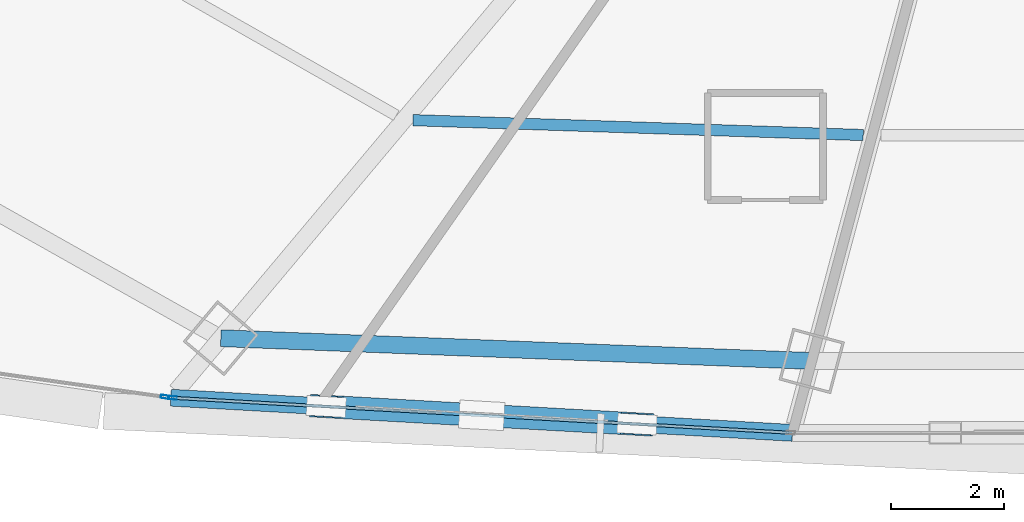
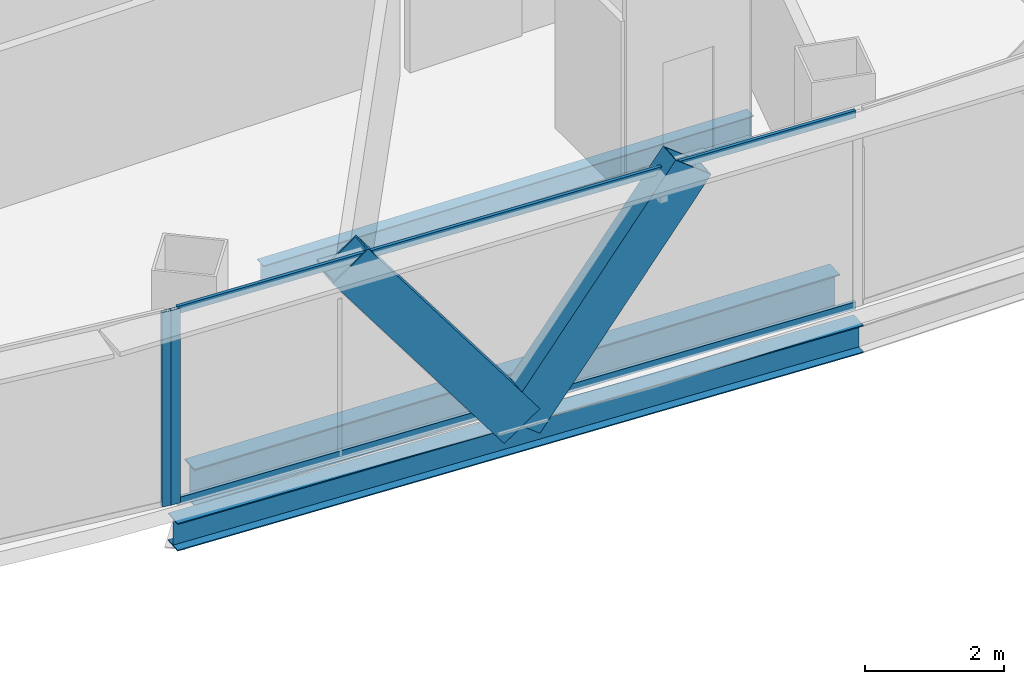
# One storey, part 6 of 42: 6 members, 3 beams, 2 elements without a shape of their own.
"""IFC4 building model written with IfcOpenShell, lengths in metres."""

from ifc_helpers import new_model, si_unit, direction, frame, origin, origin_2d, place, context, subcontext, project, spatial, hollow_rectangle, i_section, extrude, source, transform, mapped, material, layer, layer_set, material_profile, profile_set, type_object, element, aggregate, save


model = new_model("IFC4")

# Units and contexts
model_context = context("Model", 3, precision=1e-05, world=origin(), true_north=direction((0.0, 1.0)))
body_context = subcontext(model_context, "Body", "Model", "MODEL_VIEW")
ifc_project = project(units=[si_unit("LENGTHUNIT", "METRE"), si_unit("AREAUNIT", "SQUARE_METRE"), si_unit("VOLUMEUNIT", "CUBIC_METRE"), si_unit("PLANEANGLEUNIT", "RADIAN"), si_unit("MASSUNIT", "GRAM", prefix="KILO"), si_unit("THERMODYNAMICTEMPERATUREUNIT", "KELVIN"), si_unit("POWERUNIT", "WATT")], contexts=[model_context])

# Site, building, storey
site_placement = place(None, origin())
site = spatial("IfcSite", under=ifc_project, at=site_placement, CompositionType="ELEMENT")
building_placement = place(site_placement, origin())
building = spatial("IfcBuilding", under=site, at=building_placement, Name="Yunzhuo Pagoda Commons", CompositionType="ELEMENT")
storey_placement = place(building_placement, frame((0.0, 0.0, 151.909912109375)))
storey = spatial("IfcBuildingStorey", under=building, at=storey_placement, Name="L38", CompositionType="ELEMENT", Elevation=151.909912109375)

# Beams
ifc_material_1 = material(Name="Structural steel Q355B", Category="steel")
ifc_material_profile_1 = material_profile(ifc_material_1, i_section(OverallWidth=0.300048828125, OverallDepth=0.64990234375, WebThickness=0.012939453125, FlangeThickness=0.02197265625, at=origin_2d()), Name="Structural steel Q355B")
ifc_profile_set_1 = profile_set([ifc_material_profile_1], Name="Structural steel Q355B")
beam_type_1 = type_object("IfcBeamType", Name="B-RG2 Beam HN 650x300x13x22", PredefinedType="BEAM", material=ifc_profile_set_1)
shared_shape_1 = source(origin(), body_context, "Body", "SweptSolid", [
    extrude(i_section(OverallWidth=0.300048828125, OverallDepth=0.64990234375, WebThickness=0.012939453125, FlangeThickness=0.02197265625, at=origin_2d()), origin(), (0.0, 0.0, 1.0), 10.5078125),
])
beam_1_placement = place(storey_placement, frame((32.414794921875, 15.126220703125, -0.5849609375), z_axis=(0.999258632812, -0.03849915259, 0.0), x_axis=(0.03849915259, 0.999258632812, 0.0)))
element("IfcBeam", 1, at=beam_1_placement, inside=storey, type_object=beam_type_1, Name="L38 column-ring beam 1", PredefinedType="BEAM", context=body_context, shape_type="MappedRepresentation", body=[
    mapped(shared_shape_1, transform((0.0, 0.0, 0.0), scale=1.0)),
])
ifc_material_profile_2 = material_profile(ifc_material_1, i_section(OverallWidth=0.199951171875, OverallDepth=0.39990234375, WebThickness=0.008056640625, FlangeThickness=0.012939453125, at=origin_2d()), Name="Structural steel Q355B")
ifc_profile_set_2 = profile_set([ifc_material_profile_2], Name="Structural steel Q355B")
beam_type_2 = type_object("IfcBeamType", Name="B-JS1 Joist HN 400x200x8x13", PredefinedType="JOIST", material=ifc_profile_set_2)
shared_shape_2 = source(origin(), body_context, "Body", "SweptSolid", [
    extrude(i_section(OverallWidth=0.199951171875, OverallDepth=0.39990234375, WebThickness=0.008056640625, FlangeThickness=0.012939453125, at=origin_2d()), origin(), (0.0, 0.0, 1.0), 8.00537109375),
])
beam_2_placement = place(storey_placement, frame((35.8291015625, 19.00048828125, -0.4599609375), z_axis=(0.999453403952, -0.033058937199, 0.0), x_axis=(0.033058937199, 0.999453403952, 0.0)))
element("IfcBeam", 2, at=beam_2_placement, inside=storey, type_object=beam_type_2, Name="L38 composite ring joist 2.1", PredefinedType="JOIST", context=body_context, shape_type="MappedRepresentation", body=[
    mapped(shared_shape_2, transform((0.0, 0.0, 0.0), scale=1.0)),
])
ifc_material_profile_3 = material_profile(ifc_material_1, i_section(OverallWidth=0.300048828125, OverallDepth=0.488037109375, WebThickness=0.010986328125, FlangeThickness=0.01806640625, at=origin_2d()), Name="Structural steel Q355B")
ifc_profile_set_3 = profile_set([ifc_material_profile_3], Name="Structural steel Q355B")
beam_type_3 = type_object("IfcBeamType", Name="B-SP1 Beam HM 488x300x11x18", PredefinedType="BEAM", material=ifc_profile_set_3)
shared_shape_3 = source(origin(), body_context, "Body", "SweptSolid", [
    extrude(i_section(OverallWidth=0.300048828125, OverallDepth=0.488037109375, WebThickness=0.010986328125, FlangeThickness=0.01806640625, at=origin_2d()), origin(), (0.0, 0.0, 1.0), 11.06298828125),
])
beam_3_placement = place(storey_placement, frame((31.527099609375, 14.06884765625, -0.50390625), z_axis=(0.998402926244, -0.056494219778, 0.0), x_axis=(0.056494219778, 0.998402926244, 0.0)))
element("IfcBeam", 3, at=beam_3_placement, inside=storey, type_object=beam_type_3, Name="L38 facade edge spandrel beam F1.1", PredefinedType="BEAM", context=body_context, shape_type="MappedRepresentation", body=[
    mapped(shared_shape_3, transform((0.0, 0.0, 0.0), scale=1.0)),
])

# Members
ifc_material_profile_4 = material_profile(ifc_material_1, hollow_rectangle(XDim=0.39990234375, YDim=0.719970703125, WallThickness=0.02392578125, at=origin_2d()), Name="Structural steel Q355B")
ifc_profile_set_4 = profile_set([ifc_material_profile_4], Name="Structural steel Q355B")
member_type_1 = type_object("IfcMemberType", Name="M-DL2 Brace BOX 720x400x24", PredefinedType="BRACE", material=ifc_profile_set_4)
shared_shape_4 = source(origin(), body_context, "Body", "SweptSolid", [
    extrude(hollow_rectangle(XDim=0.39990234375, YDim=0.719970703125, WallThickness=0.02392578125, at=origin_2d()), origin(), (0.0, 0.0, 1.0), 4.603515625),
])
for number, where, z_axis, x_axis, name in (
    (4, (37.0498046875, 13.75634765625, -0.260009765625), (-0.599807021214, 0.033941334534, 0.799424494941), (-0.05649670934, -0.99840278537, 0.0), "L38 facade diamond brace F1.1L"),
    (5, (37.0498046875, 13.75634765625, -0.260009765625), (0.599807021214, -0.033941334534, 0.799424494941), (0.05649670934, 0.99840278537, 0.0), "L38 facade diamond brace F1.1R"),
):
    element("IfcMember", number, at=place(storey_placement, frame(where, z_axis=z_axis, x_axis=x_axis)), inside=storey, type_object=member_type_1, Name=name, PredefinedType="BRACE", context=body_context, shape_type="MappedRepresentation", body=[
        mapped(shared_shape_4, transform((0.0, 0.0, 0.0), scale=1.0)),
    ])

# Curtain wall, member
ifc_material_2 = material(Name="Anodized aluminium 6063-T6", Category="aluminium")
ifc_layer = layer(ifc_material_2, 0.14990234375)
ifc_layer_set = layer_set([ifc_layer], Name="Anodized aluminium 6063-T6")
curtain_wall_type = type_object("IfcCurtainWallType", Name="CW-MID Mid-Zone Ribbon Curtain Wall", PredefinedType="NOTDEFINED", material=ifc_layer_set)
curtain_wall_1_placement = place(storey_placement, origin())
curtain_wall_1 = element("IfcCurtainWall", 6, at=curtain_wall_1_placement, inside=storey, type_object=curtain_wall_type, Name="L38 curtain wall CW-L38-F1B2", PredefinedType="NOTDEFINED")
ifc_material_profile_5 = material_profile(ifc_material_2, hollow_rectangle(XDim=0.06005859375, YDim=0.14990234375, WallThickness=0.00390625, at=origin_2d()), Name="Anodized aluminium 6063-T6")
ifc_profile_set_5 = profile_set([ifc_material_profile_5], Name="Anodized aluminium 6063-T6")
member_type_2 = type_object("IfcMemberType", Name="CW-MID-M Mullion RHS 150x60x4", PredefinedType="MULLION", material=ifc_profile_set_5)
shared_shape_5 = source(origin(), body_context, "Body", "SweptSolid", [
    extrude(hollow_rectangle(XDim=0.06005859375, YDim=0.14990234375, WallThickness=0.00390625, at=origin_2d()), origin(), (0.0, 0.0, 1.0), 3.420166015625),
])
member_1_placement = place(storey_placement, frame((31.55712890625, 14.067138671875, 0.0), z_axis=(0.0, 0.0, 1.0), x_axis=(0.056459249567, 0.998404904404, 0.0)))
member_1 = element("IfcMember", 7, at=member_1_placement, type_object=member_type_2, Name="CW mullion 1", PredefinedType="MULLION", context=body_context, shape_type="MappedRepresentation", body=[
    mapped(shared_shape_5, transform((0.0, 0.0, 0.0), scale=1.0)),
])

curtain_wall_2_placement = place(storey_placement, origin())
curtain_wall_2 = element("IfcCurtainWall", 8, at=curtain_wall_2_placement, inside=storey, type_object=curtain_wall_type, Name="L38 curtain wall CW-L38-F1B1", PredefinedType="NOTDEFINED")
member_2_placement = place(storey_placement, frame((31.423095703125, 14.083251953125, 0.0), z_axis=(0.0, 0.0, 1.0), x_axis=(0.13962976996, 0.990203780714, 0.0)))
member_2 = element("IfcMember", 9, at=member_2_placement, type_object=member_type_2, Name="CW mullion 2", PredefinedType="MULLION", context=body_context, shape_type="MappedRepresentation", body=[
    mapped(shared_shape_5, transform((0.0, 0.0, 0.0), scale=1.0)),
])
aggregate(curtain_wall_2, [member_2])

# Member
ifc_material_profile_6 = material_profile(ifc_material_2, hollow_rectangle(XDim=0.054931640625, YDim=0.1298828125, WallThickness=0.00341796875, at=origin_2d()), Name="Anodized aluminium 6063-T6")
ifc_profile_set_6 = profile_set([ifc_material_profile_6], Name="Anodized aluminium 6063-T6")
member_type_3 = type_object("IfcMemberType", Name="CW-MID-T Transom RHS 130x55x3.5", PredefinedType="USERDEFINED", material=ifc_profile_set_6)
shared_shape_6 = source(origin(), body_context, "Body", "SweptSolid", [
    extrude(hollow_rectangle(XDim=0.054931640625, YDim=0.1298828125, WallThickness=0.00341796875, at=origin_2d()), origin(), (0.0, 0.0, 1.0), 10.94287109375),
])
member_3_placement = place(storey_placement, frame((31.587158203125, 14.0654296875, 0.027587890625), z_axis=(0.998403128064, -0.056490652967, 0.0), x_axis=(0.056490652967, 0.998403128064, 0.0)))
member_3 = element("IfcMember", 10, at=member_3_placement, type_object=member_type_3, Name="CW transom 1.1", ObjectType="TRANSOM", PredefinedType="USERDEFINED", context=body_context, shape_type="MappedRepresentation", body=[
    mapped(shared_shape_6, transform((0.0, 0.0, 0.0), scale=1.0)),
])

member_4_placement = place(storey_placement, frame((31.587158203125, 14.0654296875, 3.392578125), z_axis=(0.998403128064, -0.056490652967, 0.0), x_axis=(0.056490652967, 0.998403128064, 0.0)))
member_4 = element("IfcMember", 11, at=member_4_placement, type_object=member_type_3, Name="CW transom 1.2", ObjectType="TRANSOM", PredefinedType="USERDEFINED", context=body_context, shape_type="MappedRepresentation", body=[
    mapped(shared_shape_6, transform((0.0, 0.0, 0.0), scale=1.0)),
])

aggregate(curtain_wall_1, [member_1, member_3, member_4])

save(model, "model.ifc")
